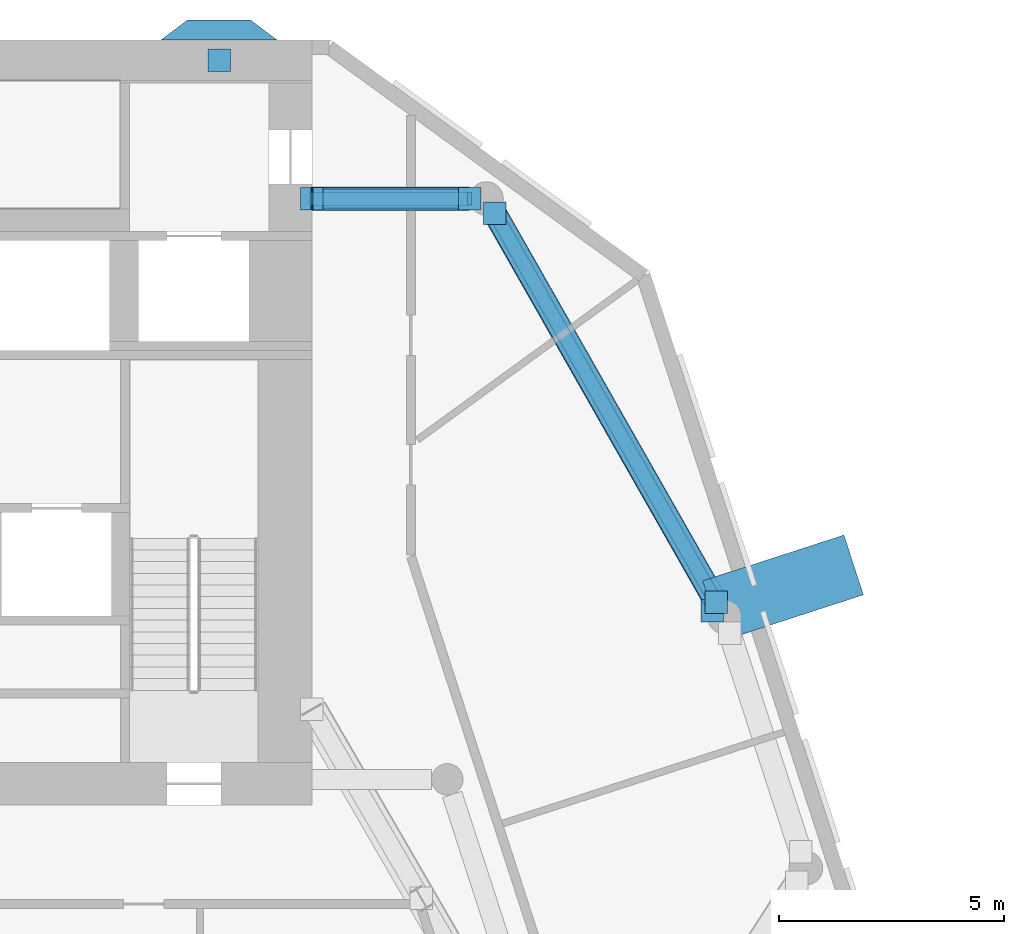
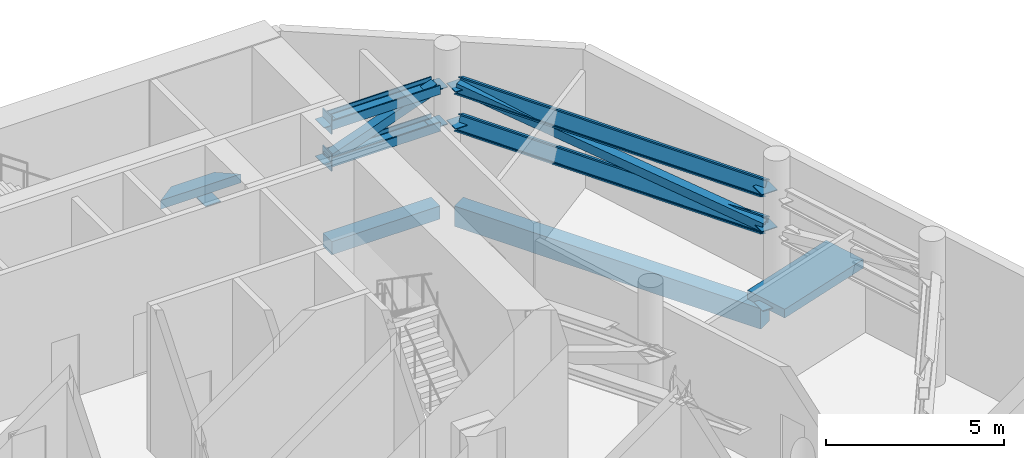
# One storey, part 7 of 17: 12 discrete accessories, 8 members, 2 beams.
"""IFC4 building model written with IfcOpenShell, lengths in metres."""

import ifcopenshell
import ifcopenshell.guid

model = None  # the IFC model being written
_history = None  # IfcOwnerHistory: only IFC2X3 demands one
_inside = {}  # id of a spatial element -> (the spatial element, [elements in it])
_under = {}  # id of a project, library or spatial element -> (it, [spatial elements below it])
_declared = {}  # id of a project -> (the project, [libraries it declares])
_typed = {}  # id of a type object -> (the type object, [elements of that type])
_made_of = {}  # id of a material, layer set ... -> (it, [elements and type objects made of it])


def new_model(schema):
    """Start an empty IFC model of exactly this schema.

    Asked for "IFC4X3", IfcOpenShell would pick the latest addendum, in which some entities
    have other attributes; the version numbers below select the first issue.
    IFC2X3 requires an IfcOwnerHistory on every rooted entity: one is made here for all.
    """
    global model, _history
    if schema == "IFC4X3":
        model = ifcopenshell.file(schema_version=(4, 3, 0, 0))
    else:
        model = ifcopenshell.file(schema=schema)
    _inside.clear()
    _under.clear()
    _declared.clear()
    _typed.clear()
    _made_of.clear()
    _history = None
    if model.schema == "IFC2X3":
        org = make("IfcOrganization", Name="unknown")
        user = make(
            "IfcPersonAndOrganization",
            ThePerson=make("IfcPerson", FamilyName="unknown"),
            TheOrganization=org,
        )
        app = make(
            "IfcApplication",
            ApplicationDeveloper=org,
            Version="unknown",
            ApplicationFullName="unknown",
            ApplicationIdentifier="unknown",
        )
        _history = make(
            "IfcOwnerHistory",
            OwningUser=user,
            OwningApplication=app,
            ChangeAction="ADDED",
            CreationDate=0,
        )
    return model


def make(cls, **values):
    """One entity of the class cls with the attributes given. An attribute that is None is left unset."""
    return model.create_entity(
        cls, **{name: value for name, value in values.items() if value is not None}
    )


def rooted(cls, **values):
    """An entity with a GlobalId (a new one), such as an element, a storey or a relation."""
    return make(cls, GlobalId=ifcopenshell.guid.new(), OwnerHistory=_history, **values)


def si_unit(unit_type, name, prefix=None):
    """IfcSIUnit, for example si_unit("LENGTHUNIT", "METRE", prefix="MILLI")."""
    return make("IfcSIUnit", UnitType=unit_type, Prefix=prefix, Name=name)


def assignment(units):
    """IfcUnitAssignment: the units of a project."""
    return None if units is None else make("IfcUnitAssignment", Units=units)


def point(xyz):
    """IfcCartesianPoint."""
    return None if xyz is None else make("IfcCartesianPoint", Coordinates=xyz)


def direction(xyz):
    """IfcDirection."""
    return None if xyz is None else make("IfcDirection", DirectionRatios=xyz)


def frame(location, z_axis=None, x_axis=None):
    """IfcAxis2Placement3D, a coordinate frame: its origin and axes. An axis left out is left unset."""
    return make(
        "IfcAxis2Placement3D",
        Location=point(location),
        Axis=direction(z_axis),
        RefDirection=direction(x_axis),
    )


def frame_2d(location, x_axis=None):
    """IfcAxis2Placement2D, a coordinate frame in the plane: its origin and x axis."""
    return make(
        "IfcAxis2Placement2D", Location=point(location), RefDirection=direction(x_axis)
    )


def origin():
    """The frame at (0, 0, 0) with its axes left unset."""
    return frame((0.0, 0.0, 0.0))


def origin_2d():
    """The frame at (0, 0) in the plane with its x axis left unset."""
    return frame_2d((0.0, 0.0))


def place(relative_to, where):
    """IfcLocalPlacement: puts the frame where relative to a parent placement (None: the world)."""
    return make(
        "IfcLocalPlacement", PlacementRelTo=relative_to, RelativePlacement=where
    )


def context(
    kind, dimensions, precision=None, world=None, true_north=None, identifier=None
):
    """IfcGeometricRepresentationContext, for example the 3D "Model" context."""
    return make(
        "IfcGeometricRepresentationContext",
        ContextIdentifier=identifier,
        ContextType=kind,
        CoordinateSpaceDimension=dimensions,
        Precision=precision,
        WorldCoordinateSystem=world,
        TrueNorth=true_north,
    )


def subcontext(parent, identifier, kind, view, scale=None):
    """IfcGeometricRepresentationSubContext, for example "Body" below "Model"."""
    return make(
        "IfcGeometricRepresentationSubContext",
        ContextIdentifier=identifier,
        ContextType=kind,
        ParentContext=parent,
        TargetScale=scale,
        TargetView=view,
    )


def project(units=None, contexts=None):
    """IfcProject with its units and contexts."""
    return rooted(
        "IfcProject",
        Name="project",
        RepresentationContexts=contexts,
        UnitsInContext=assignment(units),
    )


def spatial(cls, under=None, at=None, **own):
    """A site, building, storey or space (cls), placed at a placement, below another one or the project."""
    s = rooted(cls, ObjectPlacement=at, **own)
    if under is not None:
        _under.setdefault(under.id(), (under, []))[1].append(s)
    return s


def polyline(points):
    """IfcPolyline through the points."""
    return make("IfcPolyline", Points=[point(p) for p in points])


def profile(cls, at=None, kind="AREA", **sizes):
    """A parametric profile (cls). Its sizes go by their IFC names, for example OverallWidth=200.0."""
    return make(cls, ProfileType=kind, Position=at, **sizes)


def rectangle(**sizes):
    """IfcRectangleProfileDef."""
    return profile("IfcRectangleProfileDef", **sizes)


def hollow_rectangle(**sizes):
    """IfcRectangleHollowProfileDef."""
    return profile("IfcRectangleHollowProfileDef", **sizes)


def i_section(**sizes):
    """IfcIShapeProfileDef."""
    return profile("IfcIShapeProfileDef", **sizes)


def outline(outer, holes=None, kind="AREA"):
    """IfcArbitraryClosedProfileDef: a profile drawn as a closed curve; with holes, ...WithVoids."""
    if holes is None:
        return make("IfcArbitraryClosedProfileDef", ProfileType=kind, OuterCurve=outer)
    return make(
        "IfcArbitraryProfileDefWithVoids",
        ProfileType=kind,
        OuterCurve=outer,
        InnerCurves=holes,
    )


def extrude(swept, where, along, depth):
    """IfcExtrudedAreaSolid: the profile swept, set in the frame where, extruded along a direction by depth."""
    return make(
        "IfcExtrudedAreaSolid",
        SweptArea=swept,
        Position=where,
        ExtrudedDirection=direction(along),
        Depth=depth,
    )


def shape(context_of_items, identifier, shape_type, items):
    """IfcShapeRepresentation: the items that make up one representation, for example the "Body"."""
    return make(
        "IfcShapeRepresentation",
        ContextOfItems=context_of_items,
        RepresentationIdentifier=identifier,
        RepresentationType=shape_type,
        Items=items,
    )


def material(Name=None, Category=None):
    """IfcMaterial."""
    return make("IfcMaterial", Name=Name, Category=Category)


def layer(
    of_material, thickness, ventilated=None, Name=None, Category=None, Priority=None
):
    """IfcMaterialLayer: one layer of a wall or slab, of a material (None: an air gap)."""
    return make(
        "IfcMaterialLayer",
        Material=of_material,
        LayerThickness=thickness,
        IsVentilated=ventilated,
        Name=Name,
        Category=Category,
        Priority=Priority,
    )


def layer_set(layers, Name=None):
    """IfcMaterialLayerSet."""
    return make("IfcMaterialLayerSet", MaterialLayers=layers, LayerSetName=Name)


def material_profile(
    of_material, cross_section, Name=None, Category=None, Priority=None
):
    """IfcMaterialProfile: a cross section and its material."""
    return make(
        "IfcMaterialProfile",
        Name=Name,
        Material=of_material,
        Profile=cross_section,
        Priority=Priority,
        Category=Category,
    )


def profile_set(profiles, Name=None, composite=None):
    """IfcMaterialProfileSet."""
    return make(
        "IfcMaterialProfileSet",
        Name=Name,
        MaterialProfiles=profiles,
        CompositeProfile=composite,
    )


def made_of(thing, what):
    """Note that an element or type object is made of a material, layer set ...; save() writes the relation."""
    if what is not None:
        _made_of.setdefault(what.id(), (what, []))[1].append(thing)
    return thing


def type_object(cls, material=None, **own):
    """A type object (cls), such as IfcWallType, which elements share."""
    return made_of(rooted(cls, **own), material)


def element(
    cls,
    number,
    at=None,
    inside=None,
    cuts=None,
    type_object=None,
    material=None,
    context=None,
    identifier="Body",
    shape_type=None,
    held_by="IfcProductDefinitionShape",
    body=None,
    shapes=None,
    **own,
):
    """One element of the class cls, such as IfcWall. Its Tag is "e" and its number.

    at: its placement. inside: the storey or other place that contains it. cuts: it is an
    opening in that element (IfcRelVoidsElement). A single representation is given by context,
    identifier, shape_type and body (its items); several are given by shapes. held_by: the class
    of the entity that holds the representations. save() writes the other relations.
    """
    e = rooted(cls, Tag="e%d" % number, ObjectPlacement=at, **own)
    if body is not None:
        shapes = [shape(context, identifier, shape_type, body)]
    if shapes is not None:
        e.Representation = make(held_by, Representations=shapes)
    if inside is not None:
        _inside.setdefault(inside.id(), (inside, []))[1].append(e)
    if cuts is not None:
        rooted(
            "IfcRelVoidsElement", RelatingBuildingElement=cuts, RelatedOpeningElement=e
        )
    if type_object is not None:
        _typed.setdefault(type_object.id(), (type_object, []))[1].append(e)
    return made_of(e, material)


def aggregate(whole, parts):
    """IfcRelAggregates: a whole, such as a stair, and the parts it consists of."""
    return rooted("IfcRelAggregates", RelatingObject=whole, RelatedObjects=parts)


def save(model, path):
    """Write the relations noted so far, then the file.

    IfcRelAggregates (storeys below a building ...), IfcRelContainedInSpatialStructure (elements
    in a storey), IfcRelDefinesByType, IfcRelAssociatesMaterial and IfcRelDeclares: one each for
    every whole, place, type object, material and project.
    """
    for whole, parts in _under.values():
        aggregate(whole, parts)
    for where, things in _inside.values():
        rooted(
            "IfcRelContainedInSpatialStructure",
            RelatedElements=things,
            RelatingStructure=where,
        )
    for kind, things in _typed.values():
        rooted("IfcRelDefinesByType", RelatedObjects=things, RelatingType=kind)
    for what, things in _made_of.values():
        rooted("IfcRelAssociatesMaterial", RelatedObjects=things, RelatingMaterial=what)
    for by, libraries in _declared.values():
        rooted("IfcRelDeclares", RelatingContext=by, RelatedDefinitions=libraries)
    model.write(path)


model = new_model("IFC4")

# Units and contexts
model_context = context("Model", 3, precision=1e-05, world=origin(), true_north=direction((0.0, 1.0)))
body_context = subcontext(model_context, "Body", "Model", "MODEL_VIEW")
ifc_project = project(units=[si_unit("LENGTHUNIT", "METRE"), si_unit("AREAUNIT", "SQUARE_METRE"), si_unit("VOLUMEUNIT", "CUBIC_METRE"), si_unit("PLANEANGLEUNIT", "RADIAN"), si_unit("MASSUNIT", "GRAM", prefix="KILO")], contexts=[model_context])

# Site, building, storey
site_placement = place(None, origin())
site = spatial("IfcSite", under=ifc_project, at=site_placement, CompositionType="ELEMENT")
building_placement = place(site_placement, origin())
building = spatial("IfcBuilding", under=site, at=building_placement, Name="White Candle Pilgrim Tower", CompositionType="ELEMENT")
storey_placement = place(building_placement, frame((0.0, 0.0, 191.5)))
storey = spatial("IfcBuildingStorey", under=building, at=storey_placement, Name="L44", CompositionType="ELEMENT", Elevation=191.5)

# Member
ifc_material_1 = material(Name="Steel S355", Category="steel")
ifc_material_profile_1 = material_profile(ifc_material_1, i_section(OverallWidth=0.305908203125, OverallDepth=0.52392578125, WebThickness=0.02099609375, FlangeThickness=0.0400390625, FilletRadius=0.027099609375, at=origin_2d()), Name="HEM 500")
ifc_profile_set_1 = profile_set([ifc_material_profile_1], Name="Steel S355")
member_type_1 = type_object("IfcMemberType", Name="Belt truss chord HEM 500 S355", PredefinedType="CHORD", material=ifc_profile_set_1)
member_1_placement = place(storey_placement, frame((89.984619140625, 75.505859375, 2.412109375), z_axis=(-0.494422929515, 0.869221471646, 0.0), x_axis=(0.755545712599, 0.429762881833, -0.49442344359)))
member_1 = element("IfcMember", 1, at=member_1_placement, inside=storey, type_object=member_type_1, Name="L44 belt truss bottom chord 09", PredefinedType="CHORD", context=body_context, shape_type="SweptSolid", body=[
    extrude(i_section(OverallWidth=0.305908203125, OverallDepth=0.52392578125, WebThickness=0.02099609375, FlangeThickness=0.0400390625, FilletRadius=0.027099609375, at=origin_2d()), origin(), (0.0, 0.0, 1.0), 9.949462890625),
])

member_2_placement = place(storey_placement, frame((89.984619140625, 75.505859375, 3.677978515625), z_axis=(-0.494422929515, 0.869221471646, 0.0), x_axis=(0.755545712599, 0.429762881833, -0.49442344359)))
member_2 = element("IfcMember", 2, at=member_2_placement, inside=storey, type_object=member_type_1, Name="L44 belt truss top chord 09", PredefinedType="CHORD", context=body_context, shape_type="SweptSolid", body=[
    extrude(i_section(OverallWidth=0.305908203125, OverallDepth=0.52392578125, WebThickness=0.02099609375, FlangeThickness=0.0400390625, FilletRadius=0.027099609375, at=origin_2d()), origin(), (0.0, 0.0, 1.0), 9.949462890625),
])

member_3_placement = place(storey_placement, frame((84.5048828125, 84.47998046875, 2.412109375), z_axis=(-1.0, 0.0, 0.0), x_axis=(0.0, 0.0, -1.0)))
member_3 = element("IfcMember", 3, at=member_3_placement, inside=storey, type_object=member_type_1, Name="L44 belt truss bottom chord 10", PredefinedType="CHORD", context=body_context, shape_type="SweptSolid", body=[
    extrude(i_section(OverallWidth=0.305908203125, OverallDepth=0.52392578125, WebThickness=0.02099609375, FlangeThickness=0.0400390625, FilletRadius=0.027099609375, at=origin_2d()), origin(), (0.0, 0.0, 1.0), 3.5048828125),
])

member_4_placement = place(storey_placement, frame((84.5048828125, 84.47998046875, 3.677978515625), z_axis=(-1.0, 0.0, 0.0), x_axis=(0.0, 0.0, -1.0)))
member_4 = element("IfcMember", 4, at=member_4_placement, inside=storey, type_object=member_type_1, Name="L44 belt truss top chord 10", PredefinedType="CHORD", context=body_context, shape_type="SweptSolid", body=[
    extrude(i_section(OverallWidth=0.305908203125, OverallDepth=0.52392578125, WebThickness=0.02099609375, FlangeThickness=0.0400390625, FilletRadius=0.027099609375, at=origin_2d()), origin(), (0.0, 0.0, 1.0), 3.5048828125),
])

# Members
ifc_material_profile_2 = material_profile(ifc_material_1, hollow_rectangle(XDim=0.300048828125, YDim=0.300048828125, WallThickness=0.01611328125, at=origin_2d()), Name="SHS 300x300x16")
ifc_profile_set_2 = profile_set([ifc_material_profile_2], Name="Steel S355")
member_type_2 = type_object("IfcMemberType", Name="Belt truss diagonal SHS 300x300x16 S355", PredefinedType="BRACE", material=ifc_profile_set_2)
member_5_placement = place(storey_placement, frame((89.984619140625, 75.505859375, 2.412109375), z_axis=(-0.490469059736, 0.862270360962, 0.126213810846), x_axis=(-0.869221471646, -0.494422929515, 0.0)))
element("IfcMember", 5, at=member_5_placement, inside=storey, type_object=member_type_2, Name="L44 belt truss diagonal 09", PredefinedType="BRACE", context=body_context, shape_type="SweptSolid", body=[
    extrude(hollow_rectangle(XDim=0.300048828125, YDim=0.300048828125, WallThickness=0.01611328125, at=origin_2d()), origin(), (0.0, 0.0, 1.0), 10.029541015625),
])
member_6_placement = place(storey_placement, frame((84.5048828125, 84.47998046875, 3.677978515625), z_axis=(-0.940535294665, 0.0, -0.339695980972), x_axis=(0.0, -1.0, 0.0)))
element("IfcMember", 6, at=member_6_placement, inside=storey, type_object=member_type_2, Name="L44 belt truss diagonal 10", PredefinedType="BRACE", context=body_context, shape_type="SweptSolid", body=[
    extrude(hollow_rectangle(XDim=0.300048828125, YDim=0.300048828125, WallThickness=0.01611328125, at=origin_2d()), origin(), (0.0, 0.0, 1.0), 3.7265625),
])

# Member
ifc_material_2 = material(Name="Concrete C70/85, white", Category="concrete")
ifc_layer_1 = layer(ifc_material_2, 0.300048828125)
ifc_layer_set_1 = layer_set([ifc_layer_1], Name="Node tie strut 3300x1400x300 C70/85")
member_type_3 = type_object("IfcMemberType", Name="Node tie strut 3300x1400x300 C70/85", PredefinedType="STRUT", material=ifc_layer_set_1)
member_7_placement = place(storey_placement, frame((91.474365234375, 75.827392578125, -0.2998046875), z_axis=(0.0, 0.0, 1.0), x_axis=(-0.309016994375, 0.951056516295, 0.0)))
member_7 = element("IfcMember", 7, at=member_7_placement, inside=storey, type_object=member_type_3, Name="Node tie strut NC142", PredefinedType="STRUT", context=body_context, shape_type="SweptSolid", body=[
    extrude(rectangle(XDim=1.39990234375, YDim=3.300048828125, at=origin_2d()), origin(), (0.0, 0.0, 1.0), 0.300048828125),
])

ifc_layer_2 = layer(ifc_material_2, 0.300048828125)
ifc_layer_set_2 = layer_set([ifc_layer_2], Name="Node tie strut 900x1400x300 C70/85")
member_type_4 = type_object("IfcMemberType", Name="Node tie strut 900x1400x300 C70/85", PredefinedType="STRUT", material=ifc_layer_set_2)
member_8_placement = place(storey_placement, frame((0.0, 0.0, -0.300048828125)))
member_8 = element("IfcMember", 8, at=member_8_placement, inside=storey, type_object=member_type_4, Name="Node tie strut NC143", PredefinedType="STRUT", context=body_context, shape_type="SweptSolid", body=[
    extrude(outline(polyline([(77.636962890625, 88.0), (80.237060546875, 88.0), (79.636962890625, 88.449951171875), (78.237060546875, 88.449951171875), (77.636962890625, 88.0)])), origin(), (0.0, 0.0, 1.0), 0.300048828125),
])

# Beams
ifc_material_3 = material(Name="Concrete C50/60", Category="concrete")
ifc_material_profile_3 = material_profile(ifc_material_3, rectangle(XDim=0.5, YDim=0.449951171875, at=origin_2d()), Name="RC-BM 500x450")
ifc_profile_set_3 = profile_set([ifc_material_profile_3], Name="Concrete C50/60")
beam_type_1 = type_object("IfcBeamType", Name="Spandrel beam RC-BM 500x450 C50/60", PredefinedType="BEAM", material=ifc_profile_set_3)
beam_1_placement = place(storey_placement, frame((84.5048828125, 84.47998046875, -0.52490234375), z_axis=(-1.0, 0.0, 0.0), x_axis=(0.0, -1.0, 0.0)))
element("IfcBeam", 9, at=beam_1_placement, inside=storey, type_object=beam_type_1, Name="L44 spandrel beam T10", PredefinedType="BEAM", context=body_context, shape_type="SweptSolid", body=[
    extrude(rectangle(XDim=0.5, YDim=0.449951171875, at=origin_2d()), origin(), (0.0, 0.0, 1.0), 3.5048828125),
])
ifc_material_profile_4 = material_profile(ifc_material_3, rectangle(XDim=0.5, YDim=0.699951171875, at=origin_2d()), Name="RC-BM 500x700")
ifc_profile_set_4 = profile_set([ifc_material_profile_4], Name="Concrete C50/60")
beam_type_2 = type_object("IfcBeamType", Name="Spandrel beam RC-BM 500x700 C50/60", PredefinedType="BEAM", material=ifc_profile_set_4)
beam_2_placement = place(storey_placement, frame((89.984619140625, 75.505859375, -0.64990234375), z_axis=(-0.494422929515, 0.869221471646, 0.0), x_axis=(-0.869221471646, -0.494422929515, 0.0)))
element("IfcBeam", 10, at=beam_2_placement, inside=storey, type_object=beam_type_2, Name="L44 spandrel beam T09", PredefinedType="BEAM", context=body_context, shape_type="SweptSolid", body=[
    extrude(rectangle(XDim=0.5, YDim=0.699951171875, at=origin_2d()), origin(), (0.0, 0.0, 1.0), 9.949462890625),
])

# Discrete accessory
ifc_layer_3 = layer(ifc_material_1, 0.030029296875)
ifc_layer_set_3 = layer_set([ifc_layer_3], Name="Cast-in plate 500x600x30 S355")
discrete_accessory_type_1 = type_object("IfcDiscreteAccessoryType", Name="Cast-in plate 500x600x30 S355", PredefinedType="ANCHORPLATE", material=ifc_layer_set_3)
discrete_accessory_1_placement = place(storey_placement, frame((81.0, 84.47998046875, 2.112060546875), z_axis=(0.0, 0.0, 1.0), x_axis=(1.0, 0.0, 0.0)))
discrete_accessory_1 = element("IfcDiscreteAccessory", 11, at=discrete_accessory_1_placement, type_object=discrete_accessory_type_1, Name="Cast-in plate 0021", PredefinedType="ANCHORPLATE", context=body_context, shape_type="SweptSolid", body=[
    extrude(rectangle(XDim=0.030029296875, YDim=0.5, at=origin_2d()), origin(), (0.0, 0.0, 1.0), 0.60009765625),
])

discrete_accessory_2_placement = place(storey_placement, frame((81.0, 84.47998046875, 3.3779296875), z_axis=(0.0, 0.0, 1.0), x_axis=(1.0, 0.0, 0.0)))
discrete_accessory_2 = element("IfcDiscreteAccessory", 12, at=discrete_accessory_2_placement, type_object=discrete_accessory_type_1, Name="Cast-in plate 0022", PredefinedType="ANCHORPLATE", context=body_context, shape_type="SweptSolid", body=[
    extrude(rectangle(XDim=0.030029296875, YDim=0.5, at=origin_2d()), origin(), (0.0, 0.0, 1.0), 0.60009765625),
])

ifc_layer_4 = layer(ifc_material_1, 0.02490234375)
ifc_layer_set_4 = layer_set([ifc_layer_4], Name="Gusset plate 500x500x25 S355")
discrete_accessory_type_2 = type_object("IfcDiscreteAccessoryType", Name="Gusset plate 500x500x25 S355", PredefinedType="BRACKET", material=ifc_layer_set_4)
discrete_accessory_3_placement = place(storey_placement, frame((89.905029296875, 75.3173828125, -0.162353515625), z_axis=(0.0, 0.0, 1.0), x_axis=(1.0, 0.0, 0.0)))
discrete_accessory_3 = element("IfcDiscreteAccessory", 13, at=discrete_accessory_3_placement, type_object=discrete_accessory_type_2, Name="Gusset plate 0523", PredefinedType="BRACKET", context=body_context, shape_type="SweptSolid", body=[
    extrude(rectangle(XDim=0.5, YDim=0.5, at=origin_2d()), origin(), (0.0, 0.0, 1.0), 0.02490234375),
])

aggregate(member_7, [discrete_accessory_3])

discrete_accessory_4_placement = place(storey_placement, frame((78.93701171875, 87.550048828125, -0.162353515625), z_axis=(0.0, 0.0, 1.0), x_axis=(1.0, 0.0, 0.0)))
discrete_accessory_4 = element("IfcDiscreteAccessory", 14, at=discrete_accessory_4_placement, type_object=discrete_accessory_type_2, Name="Gusset plate 0524", PredefinedType="BRACKET", context=body_context, shape_type="SweptSolid", body=[
    extrude(rectangle(XDim=0.5, YDim=0.5, at=origin_2d()), origin(), (0.0, 0.0, 1.0), 0.02490234375),
])

aggregate(member_8, [discrete_accessory_4])

discrete_accessory_5_placement = place(storey_placement, frame((89.984619140625, 75.505859375, 2.399658203125), z_axis=(0.0, 0.0, 1.0), x_axis=(1.0, 0.0, 0.0)))
discrete_accessory_5 = element("IfcDiscreteAccessory", 15, at=discrete_accessory_5_placement, type_object=discrete_accessory_type_2, Name="Gusset plate 0810", PredefinedType="BRACKET", context=body_context, shape_type="SweptSolid", body=[
    extrude(rectangle(XDim=0.5, YDim=0.5, at=origin_2d()), origin(), (0.0, 0.0, 1.0), 0.02490234375),
])

discrete_accessory_6_placement = place(storey_placement, frame((85.0654296875, 84.154052734375, 2.399658203125), z_axis=(0.0, 0.0, 1.0), x_axis=(1.0, 0.0, 0.0)))
discrete_accessory_6 = element("IfcDiscreteAccessory", 16, at=discrete_accessory_6_placement, type_object=discrete_accessory_type_2, Name="Gusset plate 0811", PredefinedType="BRACKET", context=body_context, shape_type="SweptSolid", body=[
    extrude(rectangle(XDim=0.5, YDim=0.5, at=origin_2d()), origin(), (0.0, 0.0, 1.0), 0.02490234375),
])

aggregate(member_1, [discrete_accessory_5, discrete_accessory_6])

discrete_accessory_7_placement = place(storey_placement, frame((89.984619140625, 75.505859375, 3.66552734375), z_axis=(0.0, 0.0, 1.0), x_axis=(1.0, 0.0, 0.0)))
discrete_accessory_7 = element("IfcDiscreteAccessory", 17, at=discrete_accessory_7_placement, type_object=discrete_accessory_type_2, Name="Gusset plate 0812", PredefinedType="BRACKET", context=body_context, shape_type="SweptSolid", body=[
    extrude(rectangle(XDim=0.5, YDim=0.5, at=origin_2d()), origin(), (0.0, 0.0, 1.0), 0.02490234375),
])

discrete_accessory_8_placement = place(storey_placement, frame((85.0654296875, 84.154052734375, 3.66552734375), z_axis=(0.0, 0.0, 1.0), x_axis=(1.0, 0.0, 0.0)))
discrete_accessory_8 = element("IfcDiscreteAccessory", 18, at=discrete_accessory_8_placement, type_object=discrete_accessory_type_2, Name="Gusset plate 0813", PredefinedType="BRACKET", context=body_context, shape_type="SweptSolid", body=[
    extrude(rectangle(XDim=0.5, YDim=0.5, at=origin_2d()), origin(), (0.0, 0.0, 1.0), 0.02490234375),
])

aggregate(member_2, [discrete_accessory_7, discrete_accessory_8])

discrete_accessory_9_placement = place(storey_placement, frame((84.5048828125, 84.47998046875, 2.399658203125), z_axis=(0.0, 0.0, 1.0), x_axis=(1.0, 0.0, 0.0)))
discrete_accessory_9 = element("IfcDiscreteAccessory", 19, at=discrete_accessory_9_placement, type_object=discrete_accessory_type_2, Name="Gusset plate 0814", PredefinedType="BRACKET", context=body_context, shape_type="SweptSolid", body=[
    extrude(rectangle(XDim=0.5, YDim=0.5, at=origin_2d()), origin(), (0.0, 0.0, 1.0), 0.02490234375),
])

discrete_accessory_10_placement = place(storey_placement, frame((81.0, 84.47998046875, 2.399658203125), z_axis=(0.0, 0.0, 1.0), x_axis=(1.0, 0.0, 0.0)))
discrete_accessory_10 = element("IfcDiscreteAccessory", 20, at=discrete_accessory_10_placement, type_object=discrete_accessory_type_2, Name="Gusset plate 0815", PredefinedType="BRACKET", context=body_context, shape_type="SweptSolid", body=[
    extrude(rectangle(XDim=0.5, YDim=0.5, at=origin_2d()), origin(), (0.0, 0.0, 1.0), 0.02490234375),
])

aggregate(member_3, [discrete_accessory_9, discrete_accessory_10, discrete_accessory_1])

discrete_accessory_11_placement = place(storey_placement, frame((84.5048828125, 84.47998046875, 3.66552734375), z_axis=(0.0, 0.0, 1.0), x_axis=(1.0, 0.0, 0.0)))
discrete_accessory_11 = element("IfcDiscreteAccessory", 21, at=discrete_accessory_11_placement, type_object=discrete_accessory_type_2, Name="Gusset plate 0816", PredefinedType="BRACKET", context=body_context, shape_type="SweptSolid", body=[
    extrude(rectangle(XDim=0.5, YDim=0.5, at=origin_2d()), origin(), (0.0, 0.0, 1.0), 0.02490234375),
])

discrete_accessory_12_placement = place(storey_placement, frame((81.0, 84.47998046875, 3.66552734375), z_axis=(0.0, 0.0, 1.0), x_axis=(1.0, 0.0, 0.0)))
discrete_accessory_12 = element("IfcDiscreteAccessory", 22, at=discrete_accessory_12_placement, type_object=discrete_accessory_type_2, Name="Gusset plate 0817", PredefinedType="BRACKET", context=body_context, shape_type="SweptSolid", body=[
    extrude(rectangle(XDim=0.5, YDim=0.5, at=origin_2d()), origin(), (0.0, 0.0, 1.0), 0.02490234375),
])

aggregate(member_4, [discrete_accessory_11, discrete_accessory_12, discrete_accessory_2])

save(model, "model.ifc")
